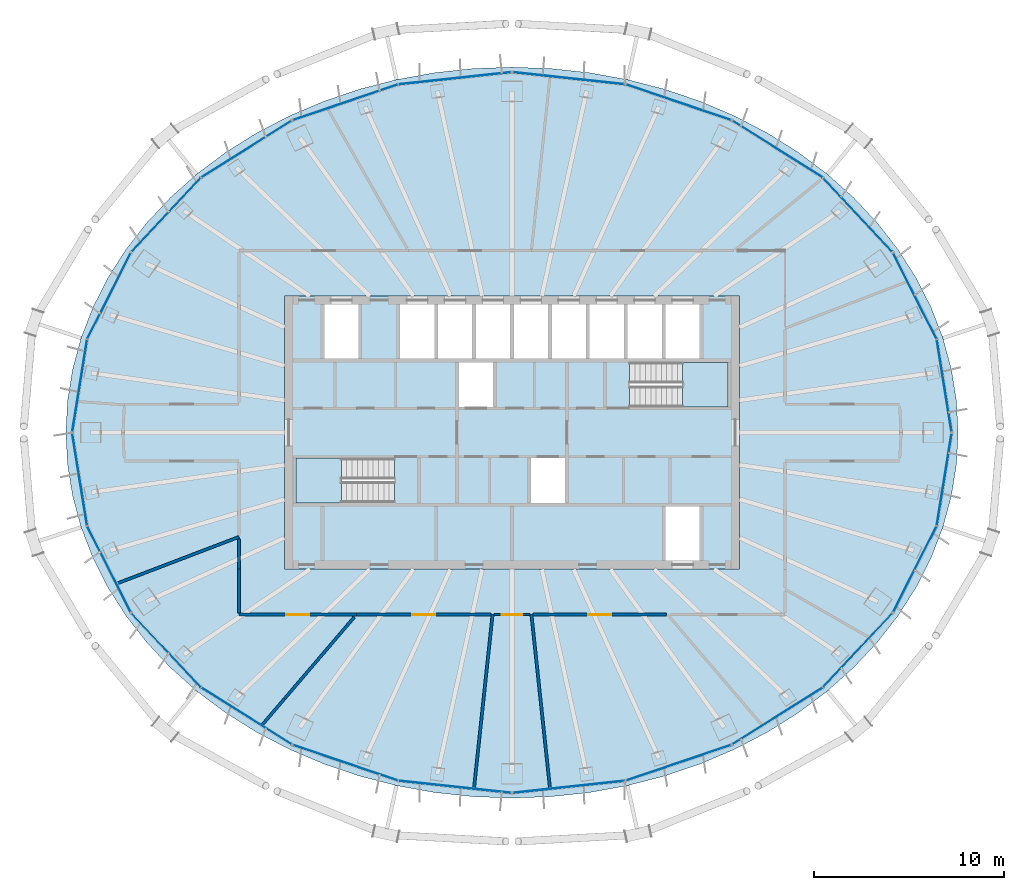
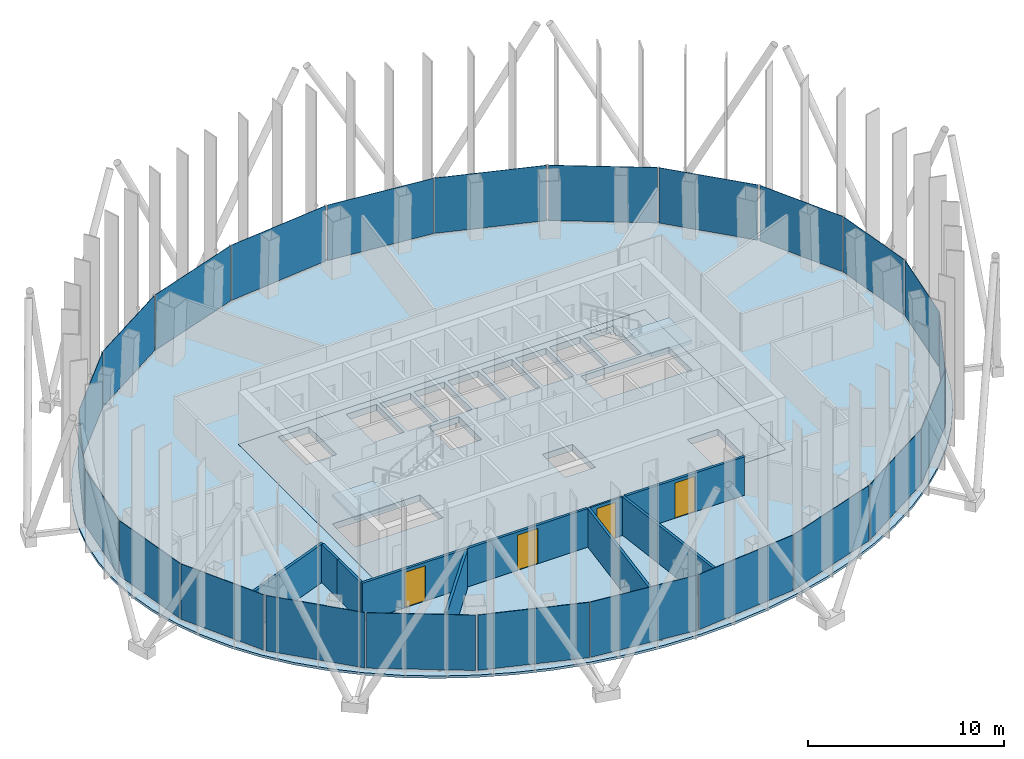
# One storey, part 9 of 19: 24 plates, 11 walls, 4 doors, 4 slabs, 4 openings, 14 elements without a shape of their own.
"""IFC4 building model written with IfcOpenShell, lengths in metres."""

from ifc_helpers import new_model, si_unit, direction, frame, frame_2d, origin, origin_2d, place, context, subcontext, project, spatial, polyline, rectangle, outline, extrude, material, layer, layer_set, type_object, element, fill, aggregate, save


model = new_model("IFC4")

# Units and contexts
model_context = context("Model", 3, precision=1e-05, world=origin(), true_north=direction((0.0, 1.0)))
body_context = subcontext(model_context, "Body", "Model", "MODEL_VIEW")
ifc_project = project(units=[si_unit("LENGTHUNIT", "METRE"), si_unit("AREAUNIT", "SQUARE_METRE"), si_unit("VOLUMEUNIT", "CUBIC_METRE"), si_unit("PLANEANGLEUNIT", "RADIAN"), si_unit("MASSUNIT", "GRAM", prefix="KILO")], contexts=[model_context])

# Site, building, storey
site_placement = place(None, origin())
site = spatial("IfcSite", under=ifc_project, at=site_placement, CompositionType="ELEMENT")
building_placement = place(site_placement, origin())
building = spatial("IfcBuilding", under=site, at=building_placement, Name="Siaravel Broadcast Tower", CompositionType="ELEMENT")
storey_placement = place(building_placement, frame((0.0, 0.0, 179.300048828125)))
storey = spatial("IfcBuildingStorey", under=building, at=storey_placement, Name="L43", CompositionType="ELEMENT", Elevation=179.300048828125)

# Curtain wall, plates
ifc_material_1 = material(Name="Aluminium 6063-T6", Category="aluminium")
ifc_layer_1 = layer(ifc_material_1, 0.179931640625)
ifc_layer_set_1 = layer_set([ifc_layer_1], Name="Aluminium 6063-T6")
curtain_wall_type = type_object("IfcCurtainWallType", Name="Unitised curtain wall, zone 3", PredefinedType="NOTDEFINED", material=ifc_layer_set_1)
curtain_wall_1_placement = place(storey_placement, origin())
curtain_wall_1 = element("IfcCurtainWall", 1, at=curtain_wall_1_placement, inside=storey, type_object=curtain_wall_type, Name="L43 Unitised curtain wall, zone 3 01", PredefinedType="NOTDEFINED")
ifc_material_2 = material(Name="Tinted insulated glass", Category="glass")
ifc_layer_2 = layer(ifc_material_2, 0.028076171875)
ifc_layer_set_2 = layer_set([ifc_layer_2], Name="Tinted insulated glass")
plate_type = type_object("IfcPlateType", Name="CW-Z3 glass panel", PredefinedType="CURTAIN_PANEL", material=ifc_layer_set_2)
plate_1_placement = place(storey_placement, frame((22.796630859375, 2.475830078125, 0.10009765625), z_axis=(0.0, 0.0, 1.0), x_axis=(-0.158685547, 0.987329174, 0.0)))
plate_1 = element("IfcPlate", 2, at=plate_1_placement, type_object=plate_type, Name="CW-Z3 glass panel", PredefinedType="CURTAIN_PANEL", context=body_context, shape_type="SweptSolid", body=[
    extrude(rectangle(XDim=4.8955078125, YDim=0.028076171875, at=origin_2d()), origin(), (0.0, 0.0, 1.0), 3.449951171875),
])
plate_2_placement = place(storey_placement, frame((21.250732421875, 7.20166015625, 0.10009765625), z_axis=(0.0, 0.0, 1.0), x_axis=(-0.451261028, 0.892392002, 0.0)))
plate_2 = element("IfcPlate", 3, at=plate_2_placement, type_object=plate_type, Name="CW-Z3 glass panel", PredefinedType="CURTAIN_PANEL", context=body_context, shape_type="SweptSolid", body=[
    extrude(rectangle(XDim=5.048583984375, YDim=0.028076171875, at=origin_2d()), origin(), (0.0, 0.0, 1.0), 3.449951171875),
])
aggregate(curtain_wall_1, [plate_1, plate_2])

curtain_wall_2_placement = place(storey_placement, origin())
curtain_wall_2 = element("IfcCurtainWall", 4, at=curtain_wall_2_placement, inside=storey, type_object=curtain_wall_type, Name="L43 Unitised curtain wall, zone 3 02", PredefinedType="NOTDEFINED")
plate_3_placement = place(storey_placement, frame((18.230712890625, 11.48681640625, 0.10009765625), z_axis=(0.0, 0.0, 1.0), x_axis=(-0.683655351, 0.729805016, 0.0)))
plate_3 = element("IfcPlate", 5, at=plate_3_placement, type_object=plate_type, Name="CW-Z3 glass panel", PredefinedType="CURTAIN_PANEL", context=body_context, shape_type="SweptSolid", body=[
    extrude(rectangle(XDim=5.303466796875, YDim=0.028076171875, at=origin_2d()), origin(), (0.0, 0.0, 1.0), 3.449951171875),
])
plate_4_placement = place(storey_placement, frame((14.00830078125, 14.945556640625, 0.10009765625), z_axis=(0.0, 0.0, 1.0), x_axis=(-0.846650771, 0.532148919, 0.0)))
plate_4 = element("IfcPlate", 6, at=plate_4_placement, type_object=plate_type, Name="CW-Z3 glass panel", PredefinedType="CURTAIN_PANEL", context=body_context, shape_type="SweptSolid", body=[
    extrude(rectangle(XDim=5.583740234375, YDim=0.028076171875, at=origin_2d()), origin(), (0.0, 0.0, 1.0), 3.449951171875),
])
aggregate(curtain_wall_2, [plate_3, plate_4])

curtain_wall_3_placement = place(storey_placement, origin())
curtain_wall_3 = element("IfcCurtainWall", 7, at=curtain_wall_3_placement, inside=storey, type_object=curtain_wall_type, Name="L43 Unitised curtain wall, zone 3 03", PredefinedType="NOTDEFINED")
plate_5_placement = place(storey_placement, frame((8.783203125, 17.416748046875, 0.10009765625), z_axis=(0.0, 0.0, 1.0), x_axis=(-0.946977335, 0.321300369, 0.0)))
plate_5 = element("IfcPlate", 8, at=plate_5_placement, type_object=plate_type, Name="CW-Z3 glass panel", PredefinedType="CURTAIN_PANEL", context=body_context, shape_type="SweptSolid", body=[
    extrude(rectangle(XDim=5.81591796875, YDim=0.028076171875, at=origin_2d()), origin(), (0.0, 0.0, 1.0), 3.449951171875),
])
plate_6_placement = place(storey_placement, frame((3.015380859375, 18.6826171875, 0.10009765625), z_axis=(0.0, 0.0, 1.0), x_axis=(-0.994235601, 0.107217391, 0.0)))
plate_6 = element("IfcPlate", 9, at=plate_6_placement, type_object=plate_type, Name="CW-Z3 glass panel", PredefinedType="CURTAIN_PANEL", context=body_context, shape_type="SweptSolid", body=[
    extrude(rectangle(XDim=5.94580078125, YDim=0.028076171875, at=origin_2d()), origin(), (0.0, 0.0, 1.0), 3.449951171875),
])
aggregate(curtain_wall_3, [plate_5, plate_6])

curtain_wall_4_placement = place(storey_placement, origin())
curtain_wall_4 = element("IfcCurtainWall", 10, at=curtain_wall_4_placement, inside=storey, type_object=curtain_wall_type, Name="L43 Unitised curtain wall, zone 3 04", PredefinedType="NOTDEFINED")
plate_7_placement = place(storey_placement, frame((-3.015380859375, 18.6826171875, 0.10009765625), z_axis=(0.0, 0.0, 1.0), x_axis=(-0.994235601, -0.107217391, 0.0)))
plate_7 = element("IfcPlate", 11, at=plate_7_placement, type_object=plate_type, Name="CW-Z3 glass panel", PredefinedType="CURTAIN_PANEL", context=body_context, shape_type="SweptSolid", body=[
    extrude(rectangle(XDim=5.94580078125, YDim=0.028076171875, at=origin_2d()), origin(), (0.0, 0.0, 1.0), 3.449951171875),
])
plate_8_placement = place(storey_placement, frame((-8.783203125, 17.416748046875, 0.10009765625), z_axis=(0.0, 0.0, 1.0), x_axis=(-0.946977335, -0.321300369, 0.0)))
plate_8 = element("IfcPlate", 12, at=plate_8_placement, type_object=plate_type, Name="CW-Z3 glass panel", PredefinedType="CURTAIN_PANEL", context=body_context, shape_type="SweptSolid", body=[
    extrude(rectangle(XDim=5.81591796875, YDim=0.028076171875, at=origin_2d()), origin(), (0.0, 0.0, 1.0), 3.449951171875),
])
aggregate(curtain_wall_4, [plate_7, plate_8])

curtain_wall_5_placement = place(storey_placement, origin())
curtain_wall_5 = element("IfcCurtainWall", 13, at=curtain_wall_5_placement, inside=storey, type_object=curtain_wall_type, Name="L43 Unitised curtain wall, zone 3 05", PredefinedType="NOTDEFINED")
plate_9_placement = place(storey_placement, frame((-14.00830078125, 14.945556640625, 0.10009765625), z_axis=(0.0, 0.0, 1.0), x_axis=(-0.846650771, -0.532148919, 0.0)))
plate_9 = element("IfcPlate", 14, at=plate_9_placement, type_object=plate_type, Name="CW-Z3 glass panel", PredefinedType="CURTAIN_PANEL", context=body_context, shape_type="SweptSolid", body=[
    extrude(rectangle(XDim=5.583740234375, YDim=0.028076171875, at=origin_2d()), origin(), (0.0, 0.0, 1.0), 3.449951171875),
])
plate_10_placement = place(storey_placement, frame((-18.230712890625, 11.48681640625, 0.10009765625), z_axis=(0.0, 0.0, 1.0), x_axis=(-0.683655351, -0.729805016, 0.0)))
plate_10 = element("IfcPlate", 15, at=plate_10_placement, type_object=plate_type, Name="CW-Z3 glass panel", PredefinedType="CURTAIN_PANEL", context=body_context, shape_type="SweptSolid", body=[
    extrude(rectangle(XDim=5.303466796875, YDim=0.028076171875, at=origin_2d()), origin(), (0.0, 0.0, 1.0), 3.449951171875),
])
aggregate(curtain_wall_5, [plate_9, plate_10])

curtain_wall_6_placement = place(storey_placement, origin())
curtain_wall_6 = element("IfcCurtainWall", 16, at=curtain_wall_6_placement, inside=storey, type_object=curtain_wall_type, Name="L43 Unitised curtain wall, zone 3 06", PredefinedType="NOTDEFINED")
plate_11_placement = place(storey_placement, frame((-21.250732421875, 7.20166015625, 0.10009765625), z_axis=(0.0, 0.0, 1.0), x_axis=(-0.451261028, -0.892392002, 0.0)))
plate_11 = element("IfcPlate", 17, at=plate_11_placement, type_object=plate_type, Name="CW-Z3 glass panel", PredefinedType="CURTAIN_PANEL", context=body_context, shape_type="SweptSolid", body=[
    extrude(rectangle(XDim=5.048583984375, YDim=0.028076171875, at=origin_2d()), origin(), (0.0, 0.0, 1.0), 3.449951171875),
])
plate_12_placement = place(storey_placement, frame((-22.796630859375, 2.475830078125, 0.10009765625), z_axis=(0.0, 0.0, 1.0), x_axis=(-0.158685547, -0.987329174, 0.0)))
plate_12 = element("IfcPlate", 18, at=plate_12_placement, type_object=plate_type, Name="CW-Z3 glass panel", PredefinedType="CURTAIN_PANEL", context=body_context, shape_type="SweptSolid", body=[
    extrude(rectangle(XDim=4.8955078125, YDim=0.028076171875, at=origin_2d()), origin(), (0.0, 0.0, 1.0), 3.449951171875),
])
aggregate(curtain_wall_6, [plate_11, plate_12])

curtain_wall_7_placement = place(storey_placement, origin())
curtain_wall_7 = element("IfcCurtainWall", 19, at=curtain_wall_7_placement, inside=storey, type_object=curtain_wall_type, Name="L43 Unitised curtain wall, zone 3 07", PredefinedType="NOTDEFINED")
plate_13_placement = place(storey_placement, frame((-22.796630859375, -2.475830078125, 0.10009765625), z_axis=(0.0, 0.0, 1.0), x_axis=(0.158685547, -0.987329174, 0.0)))
plate_13 = element("IfcPlate", 20, at=plate_13_placement, type_object=plate_type, Name="CW-Z3 glass panel", PredefinedType="CURTAIN_PANEL", context=body_context, shape_type="SweptSolid", body=[
    extrude(rectangle(XDim=4.8955078125, YDim=0.028076171875, at=origin_2d()), origin(), (0.0, 0.0, 1.0), 3.449951171875),
])
plate_14_placement = place(storey_placement, frame((-21.250732421875, -7.20166015625, 0.10009765625), z_axis=(0.0, 0.0, 1.0), x_axis=(0.451261028, -0.892392002, 0.0)))
plate_14 = element("IfcPlate", 21, at=plate_14_placement, type_object=plate_type, Name="CW-Z3 glass panel", PredefinedType="CURTAIN_PANEL", context=body_context, shape_type="SweptSolid", body=[
    extrude(rectangle(XDim=5.048583984375, YDim=0.028076171875, at=origin_2d()), origin(), (0.0, 0.0, 1.0), 3.449951171875),
])
aggregate(curtain_wall_7, [plate_13, plate_14])

curtain_wall_8_placement = place(storey_placement, origin())
curtain_wall_8 = element("IfcCurtainWall", 22, at=curtain_wall_8_placement, inside=storey, type_object=curtain_wall_type, Name="L43 Unitised curtain wall, zone 3 08", PredefinedType="NOTDEFINED")
plate_15_placement = place(storey_placement, frame((-18.230712890625, -11.48681640625, 0.10009765625), z_axis=(0.0, 0.0, 1.0), x_axis=(0.683655351, -0.729805016, 0.0)))
plate_15 = element("IfcPlate", 23, at=plate_15_placement, type_object=plate_type, Name="CW-Z3 glass panel", PredefinedType="CURTAIN_PANEL", context=body_context, shape_type="SweptSolid", body=[
    extrude(rectangle(XDim=5.303466796875, YDim=0.028076171875, at=origin_2d()), origin(), (0.0, 0.0, 1.0), 3.449951171875),
])
plate_16_placement = place(storey_placement, frame((-14.00830078125, -14.945556640625, 0.10009765625), z_axis=(0.0, 0.0, 1.0), x_axis=(0.846650771, -0.532148919, 0.0)))
plate_16 = element("IfcPlate", 24, at=plate_16_placement, type_object=plate_type, Name="CW-Z3 glass panel", PredefinedType="CURTAIN_PANEL", context=body_context, shape_type="SweptSolid", body=[
    extrude(rectangle(XDim=5.583740234375, YDim=0.028076171875, at=origin_2d()), origin(), (0.0, 0.0, 1.0), 3.449951171875),
])
aggregate(curtain_wall_8, [plate_15, plate_16])

curtain_wall_9_placement = place(storey_placement, origin())
curtain_wall_9 = element("IfcCurtainWall", 25, at=curtain_wall_9_placement, inside=storey, type_object=curtain_wall_type, Name="L43 Unitised curtain wall, zone 3 09", PredefinedType="NOTDEFINED")
plate_17_placement = place(storey_placement, frame((-8.783203125, -17.416748046875, 0.10009765625), z_axis=(0.0, 0.0, 1.0), x_axis=(0.946977335, -0.321300369, 0.0)))
plate_17 = element("IfcPlate", 26, at=plate_17_placement, type_object=plate_type, Name="CW-Z3 glass panel", PredefinedType="CURTAIN_PANEL", context=body_context, shape_type="SweptSolid", body=[
    extrude(rectangle(XDim=5.81591796875, YDim=0.028076171875, at=origin_2d()), origin(), (0.0, 0.0, 1.0), 3.449951171875),
])
plate_18_placement = place(storey_placement, frame((-3.015380859375, -18.6826171875, 0.10009765625), z_axis=(0.0, 0.0, 1.0), x_axis=(0.994235601, -0.107217391, 0.0)))
plate_18 = element("IfcPlate", 27, at=plate_18_placement, type_object=plate_type, Name="CW-Z3 glass panel", PredefinedType="CURTAIN_PANEL", context=body_context, shape_type="SweptSolid", body=[
    extrude(rectangle(XDim=5.94580078125, YDim=0.028076171875, at=origin_2d()), origin(), (0.0, 0.0, 1.0), 3.449951171875),
])
aggregate(curtain_wall_9, [plate_17, plate_18])

curtain_wall_10_placement = place(storey_placement, origin())
curtain_wall_10 = element("IfcCurtainWall", 28, at=curtain_wall_10_placement, inside=storey, type_object=curtain_wall_type, Name="L43 Unitised curtain wall, zone 3 10", PredefinedType="NOTDEFINED")
plate_19_placement = place(storey_placement, frame((3.015380859375, -18.6826171875, 0.10009765625), z_axis=(0.0, 0.0, 1.0), x_axis=(0.994235601, 0.107217391, 0.0)))
plate_19 = element("IfcPlate", 29, at=plate_19_placement, type_object=plate_type, Name="CW-Z3 glass panel", PredefinedType="CURTAIN_PANEL", context=body_context, shape_type="SweptSolid", body=[
    extrude(rectangle(XDim=5.94580078125, YDim=0.028076171875, at=origin_2d()), origin(), (0.0, 0.0, 1.0), 3.449951171875),
])
plate_20_placement = place(storey_placement, frame((8.783203125, -17.416748046875, 0.10009765625), z_axis=(0.0, 0.0, 1.0), x_axis=(0.946977335, 0.321300369, 0.0)))
plate_20 = element("IfcPlate", 30, at=plate_20_placement, type_object=plate_type, Name="CW-Z3 glass panel", PredefinedType="CURTAIN_PANEL", context=body_context, shape_type="SweptSolid", body=[
    extrude(rectangle(XDim=5.81591796875, YDim=0.028076171875, at=origin_2d()), origin(), (0.0, 0.0, 1.0), 3.449951171875),
])
aggregate(curtain_wall_10, [plate_19, plate_20])

curtain_wall_11_placement = place(storey_placement, origin())
curtain_wall_11 = element("IfcCurtainWall", 31, at=curtain_wall_11_placement, inside=storey, type_object=curtain_wall_type, Name="L43 Unitised curtain wall, zone 3 11", PredefinedType="NOTDEFINED")
plate_21_placement = place(storey_placement, frame((14.00830078125, -14.945556640625, 0.10009765625), z_axis=(0.0, 0.0, 1.0), x_axis=(0.846650771, 0.532148919, 0.0)))
plate_21 = element("IfcPlate", 32, at=plate_21_placement, type_object=plate_type, Name="CW-Z3 glass panel", PredefinedType="CURTAIN_PANEL", context=body_context, shape_type="SweptSolid", body=[
    extrude(rectangle(XDim=5.583740234375, YDim=0.028076171875, at=origin_2d()), origin(), (0.0, 0.0, 1.0), 3.449951171875),
])
plate_22_placement = place(storey_placement, frame((18.230712890625, -11.48681640625, 0.10009765625), z_axis=(0.0, 0.0, 1.0), x_axis=(0.683655351, 0.729805016, 0.0)))
plate_22 = element("IfcPlate", 33, at=plate_22_placement, type_object=plate_type, Name="CW-Z3 glass panel", PredefinedType="CURTAIN_PANEL", context=body_context, shape_type="SweptSolid", body=[
    extrude(rectangle(XDim=5.303466796875, YDim=0.028076171875, at=origin_2d()), origin(), (0.0, 0.0, 1.0), 3.449951171875),
])
aggregate(curtain_wall_11, [plate_21, plate_22])

curtain_wall_12_placement = place(storey_placement, origin())
curtain_wall_12 = element("IfcCurtainWall", 34, at=curtain_wall_12_placement, inside=storey, type_object=curtain_wall_type, Name="L43 Unitised curtain wall, zone 3 12", PredefinedType="NOTDEFINED")
plate_23_placement = place(storey_placement, frame((21.250732421875, -7.20166015625, 0.10009765625), z_axis=(0.0, 0.0, 1.0), x_axis=(0.451261028, 0.892392002, 0.0)))
plate_23 = element("IfcPlate", 35, at=plate_23_placement, type_object=plate_type, Name="CW-Z3 glass panel", PredefinedType="CURTAIN_PANEL", context=body_context, shape_type="SweptSolid", body=[
    extrude(rectangle(XDim=5.048583984375, YDim=0.028076171875, at=origin_2d()), origin(), (0.0, 0.0, 1.0), 3.449951171875),
])
plate_24_placement = place(storey_placement, frame((22.796630859375, -2.475830078125, 0.10009765625), z_axis=(0.0, 0.0, 1.0), x_axis=(0.158685547, 0.987329174, 0.0)))
plate_24 = element("IfcPlate", 36, at=plate_24_placement, type_object=plate_type, Name="CW-Z3 glass panel", PredefinedType="CURTAIN_PANEL", context=body_context, shape_type="SweptSolid", body=[
    extrude(rectangle(XDim=4.8955078125, YDim=0.028076171875, at=origin_2d()), origin(), (0.0, 0.0, 1.0), 3.449951171875),
])
aggregate(curtain_wall_12, [plate_23, plate_24])

# Slabs
ifc_material_3 = material(Name="Concrete C40/50", Category="concrete")
ifc_layer_3 = layer(ifc_material_3, 0.39990234375)
ifc_layer_set_3 = layer_set([ifc_layer_3], Name="Concrete C40/50")
slab_type_1 = type_object("IfcSlabType", Name="Core floor slab 400", PredefinedType="FLOOR", material=ifc_layer_set_3)
slab_1_placement = place(storey_placement, frame((0.0, 0.0, -0.400146484375)))
element("IfcSlab", 37, at=slab_1_placement, inside=storey, type_object=slab_type_1, Name="L43 core floor", PredefinedType="FLOOR", context=body_context, shape_type="SweptSolid", body=[
    extrude(outline(polyline([(-12.0, -7.199951171875), (-12.0, 7.199951171875), (12.0, 7.199951171875), (12.0, -7.199951171875), (-12.0, -7.199951171875)]), holes=[polyline([(11.3994140625, 1.3505859375), (11.3994140625, 3.699462890625), (6.200439453125, 3.699462890625), (6.200439453125, 1.3505859375), (11.3994140625, 1.3505859375)]), polyline([(8.10009765625, -3.89990234375), (8.10009765625, -6.75), (9.89990234375, -6.75), (9.89990234375, -3.89990234375), (8.10009765625, -3.89990234375)]), polyline([(9.89990234375, 6.75), (8.10009765625, 6.75), (8.10009765625, 3.89990234375), (9.89990234375, 3.89990234375), (9.89990234375, 6.75)]), polyline([(7.89990234375, 6.75), (6.10009765625, 6.75), (6.10009765625, 3.89990234375), (7.89990234375, 3.89990234375), (7.89990234375, 6.75)]), polyline([(5.89990234375, 6.75), (4.10009765625, 6.75), (4.10009765625, 3.89990234375), (5.89990234375, 3.89990234375), (5.89990234375, 6.75)]), polyline([(3.89990234375, 6.75), (2.10009765625, 6.75), (2.10009765625, 3.89990234375), (3.89990234375, 3.89990234375), (3.89990234375, 6.75)]), polyline([(2.800048828125, -1.35009765625), (1.0, -1.35009765625), (1.0, -3.699951171875), (2.800048828125, -3.699951171875), (2.800048828125, -1.35009765625)]), polyline([(1.89990234375, 6.75), (0.10009765625, 6.75), (0.10009765625, 3.89990234375), (1.89990234375, 3.89990234375), (1.89990234375, 6.75)]), polyline([(-0.10009765625, 6.75), (-1.89990234375, 6.75), (-1.89990234375, 3.89990234375), (-0.10009765625, 3.89990234375), (-0.10009765625, 6.75)]), polyline([(-1.0, 3.699951171875), (-2.800048828125, 3.699951171875), (-2.800048828125, 1.35009765625), (-1.0, 1.35009765625), (-1.0, 3.699951171875)]), polyline([(-2.10009765625, 6.75), (-3.89990234375, 6.75), (-3.89990234375, 3.89990234375), (-2.10009765625, 3.89990234375), (-2.10009765625, 6.75)]), polyline([(-4.10009765625, 6.75), (-5.89990234375, 6.75), (-5.89990234375, 3.89990234375), (-4.10009765625, 3.89990234375), (-4.10009765625, 6.75)]), polyline([(-11.3994140625, -3.699462890625), (-6.200439453125, -3.699462890625), (-6.200439453125, -1.3505859375), (-11.3994140625, -1.3505859375), (-11.3994140625, -3.699462890625)]), polyline([(-8.10009765625, 6.75), (-9.89990234375, 6.75), (-9.89990234375, 3.89990234375), (-8.10009765625, 3.89990234375), (-8.10009765625, 6.75)])]), origin(), (0.0, 0.0, 1.0), 0.400146484375),
])
ifc_layer_4 = layer(ifc_material_3, 0.14990234375)
ifc_layer_set_4 = layer_set([ifc_layer_4], Name="Concrete C40/50")
slab_type_2 = type_object("IfcSlabType", Name="SLB-FLOOR-150", PredefinedType="FLOOR", material=ifc_layer_set_4)
slab_2_placement = place(storey_placement, frame((0.0, 0.0, -0.150146484375)))
element("IfcSlab", 38, at=slab_2_placement, inside=storey, type_object=slab_type_2, Name="Floor slab", PredefinedType="FLOOR", context=body_context, shape_type="SweptSolid", body=[
    extrude(outline(polyline([(23.52880859375, 0.0), (23.439208984375, 1.6796875), (23.171142578125, 3.3466796875), (22.72705078125, 4.988037109375), (22.109619140625, 6.591552734375), (21.32421875, 8.14501953125), (20.37646484375, 9.63623046875), (19.273681640625, 11.05419921875), (18.02392578125, 12.38818359375), (16.63720703125, 13.627685546875), (15.1240234375, 14.763671875), (13.49560546875, 15.787109375), (11.764404296875, 16.690673828125), (9.943603515625, 17.466796875), (8.04736328125, 18.1103515625), (6.089599609375, 18.615966796875), (4.085693359375, 18.979736328125), (2.05078125, 19.19921875), (0.0, 19.272705078125), (-2.05078125, 19.19921875), (-4.085693359375, 18.979736328125), (-6.089599609375, 18.615966796875), (-8.04736328125, 18.1103515625), (-9.943603515625, 17.466796875), (-11.764404296875, 16.690673828125), (-13.49560546875, 15.787109375), (-15.1240234375, 14.763671875), (-16.63720703125, 13.627685546875), (-18.02392578125, 12.38818359375), (-19.273681640625, 11.05419921875), (-20.37646484375, 9.63623046875), (-21.32421875, 8.14501953125), (-22.109619140625, 6.591552734375), (-22.72705078125, 4.988037109375), (-23.171142578125, 3.3466796875), (-23.439208984375, 1.6796875), (-23.52880859375, 0.0), (-23.439208984375, -1.6796875), (-23.171142578125, -3.3466796875), (-22.72705078125, -4.988037109375), (-22.109619140625, -6.591552734375), (-21.32421875, -8.14501953125), (-20.37646484375, -9.63623046875), (-19.273681640625, -11.05419921875), (-18.02392578125, -12.38818359375), (-16.63720703125, -13.627685546875), (-15.1240234375, -14.763671875), (-13.49560546875, -15.787109375), (-11.764404296875, -16.690673828125), (-9.943603515625, -17.466796875), (-8.04736328125, -18.1103515625), (-6.089599609375, -18.615966796875), (-4.085693359375, -18.979736328125), (-2.05078125, -19.19921875), (0.0, -19.272705078125), (2.05078125, -19.19921875), (4.085693359375, -18.979736328125), (6.089599609375, -18.615966796875), (8.04736328125, -18.1103515625), (9.943603515625, -17.466796875), (11.764404296875, -16.690673828125), (13.49560546875, -15.787109375), (15.1240234375, -14.763671875), (16.63720703125, -13.627685546875), (18.02392578125, -12.38818359375), (19.273681640625, -11.05419921875), (20.37646484375, -9.63623046875), (21.32421875, -8.14501953125), (22.109619140625, -6.591552734375), (22.72705078125, -4.988037109375), (23.171142578125, -3.3466796875), (23.439208984375, -1.6796875), (23.52880859375, 0.0)]), holes=[polyline([(-12.0, 7.199951171875), (12.0, 7.199951171875), (12.0, -7.199951171875), (-12.0, -7.199951171875), (-12.0, 7.199951171875)])]), origin(), (0.0, 0.0, 1.0), 0.150146484375),
])

# Stair, slab
stair_type = type_object("IfcStairType", Name="Core exit stair", PredefinedType="HALF_TURN_STAIR", material=ifc_material_3)
stair_1_placement = place(storey_placement, origin())
stair_1 = element("IfcStair", 39, at=stair_1_placement, inside=storey, type_object=stair_type, Name="L43 Exit stair ST-1", PredefinedType="HALF_TURN_STAIR")
ifc_layer_5 = layer(ifc_material_3, 0.199951171875)
ifc_layer_set_5 = layer_set([ifc_layer_5], Name="Concrete C40/50")
slab_type_3 = type_object("IfcSlabType", Name="Stair landing", PredefinedType="LANDING", material=ifc_layer_set_5)
slab_3_placement = place(storey_placement, frame((0.0, 0.0, 1.64990234375)))
slab_3 = element("IfcSlab", 40, at=slab_3_placement, type_object=slab_type_3, Name="ST-1 landing 1", PredefinedType="LANDING", context=body_context, shape_type="SweptSolid", body=[
    extrude(outline(polyline([(-9.0, -1.35009765625), (-11.39990234375, -1.35009765625), (-11.39990234375, -3.699951171875), (-9.0, -3.699951171875), (-9.0, -1.35009765625)])), origin(), (0.0, 0.0, 1.0), 0.199951171875),
])
aggregate(stair_1, [slab_3])

stair_2_placement = place(storey_placement, origin())
stair_2 = element("IfcStair", 41, at=stair_2_placement, inside=storey, type_object=stair_type, Name="L43 Exit stair ST-2", PredefinedType="HALF_TURN_STAIR")
slab_4_placement = place(storey_placement, frame((0.0, 0.0, 1.64990234375)))
slab_4 = element("IfcSlab", 42, at=slab_4_placement, type_object=slab_type_3, Name="ST-2 landing 1", PredefinedType="LANDING", context=body_context, shape_type="SweptSolid", body=[
    extrude(outline(polyline([(9.0, 1.35009765625), (11.39990234375, 1.35009765625), (11.39990234375, 3.699951171875), (9.0, 3.699951171875), (9.0, 1.35009765625)])), origin(), (0.0, 0.0, 1.0), 0.199951171875),
])
aggregate(stair_2, [slab_4])

# Wall, opening, door
ifc_material_4 = material(Name="Gypsum board partition", Category="gypsum")
ifc_layer_6 = layer(ifc_material_4, 0.14990234375)
ifc_layer_set_6 = layer_set([ifc_layer_6], Name="Gypsum board partition")
wall_type_1 = type_object("IfcWallType", Name="Corridor wall 150", PredefinedType="PARTITIONING", material=ifc_layer_set_6)
wall_1_placement = place(storey_placement, frame((-8.206298828125, -9.60009765625, 0.0), z_axis=(0.0, 0.0, 1.0), x_axis=(1.0, 0.0, 0.0)))
wall_1 = element("IfcWall", 43, at=wall_1_placement, inside=storey, type_object=wall_type_1, Name="L43 partition 8", PredefinedType="PARTITIONING", context=body_context, shape_type="SweptSolid", body=[
    extrude(rectangle(XDim=7.095458984375, YDim=0.14990234375, at=frame_2d((3.5478515625, 0.0))), origin(), (0.0, 0.0, 1.0), 2.39990234375),
])
opening_1_placement = place(wall_1_placement, frame((2.94775390625, 0.0, 0.0)))
opening_1 = element("IfcOpeningElement", 44, at=opening_1_placement, cuts=wall_1, Name="Opening L43-012", PredefinedType="OPENING", context=body_context, shape_type="SweptSolid", body=[
    extrude(rectangle(XDim=1.199951171875, YDim=2.199951171875, at=frame_2d((0.60009765625, 1.10009765625))), frame((0.0, 0.0849609375, 0.0), z_axis=(0.0, -1.0, 0.0), x_axis=(1.0, 0.0, 0.0)), (0.0, 0.0, 1.0), 0.169921875),
])
ifc_material_5 = material(Name="Timber veneer", Category="wood")
door_type_1 = type_object("IfcDoorType", Name="Office double door 1200", OperationType="DOUBLE_DOOR_SINGLE_SWING", PredefinedType="DOOR", material=ifc_material_5)
door_1_placement = place(opening_1_placement, origin())
door_1 = element("IfcDoor", 45, at=door_1_placement, inside=storey, type_object=door_type_1, Name="L43 door to Open plan office", OperationType="DOUBLE_DOOR_SINGLE_SWING", OverallHeight=2.199951171875, OverallWidth=1.199951171875, PredefinedType="DOOR", context=body_context, shape_type="SweptSolid", body=[
    extrude(rectangle(XDim=1.199951171875, YDim=2.199951171875, at=frame_2d((0.60009765625, 1.10009765625))), frame((0.0, 0.02490234375, 0.0), z_axis=(0.0, -1.0, 0.0), x_axis=(1.0, 0.0, 0.0)), (0.0, 0.0, 1.0), 0.050048828125),
])
fill(opening_1, door_1)

wall_2_placement = place(storey_placement, frame((1.11083984375, -9.60009765625, 0.0), z_axis=(0.0, 0.0, 1.0), x_axis=(1.0, 0.0, 0.0)))
wall_2 = element("IfcWall", 46, at=wall_2_placement, inside=storey, type_object=wall_type_1, Name="L43 partition 9", PredefinedType="PARTITIONING", context=body_context, shape_type="SweptSolid", body=[
    extrude(rectangle(XDim=7.03662109375, YDim=0.14990234375, at=frame_2d((3.518310546875, 0.0))), origin(), (0.0, 0.0, 1.0), 2.39990234375),
])
opening_2_placement = place(wall_2_placement, frame((2.918212890625, 0.0, 0.0)))
opening_2 = element("IfcOpeningElement", 47, at=opening_2_placement, cuts=wall_2, Name="Opening L43-001", PredefinedType="OPENING", context=body_context, shape_type="SweptSolid", body=[
    extrude(rectangle(XDim=1.199951171875, YDim=2.199951171875, at=frame_2d((0.60009765625, 1.10009765625))), frame((0.0, 0.0849609375, 0.0), z_axis=(0.0, -1.0, 0.0), x_axis=(1.0, 0.0, 0.0)), (0.0, 0.0, 1.0), 0.169921875),
])
door_2_placement = place(opening_2_placement, origin())
door_2 = element("IfcDoor", 48, at=door_2_placement, inside=storey, type_object=door_type_1, Name="L43 door to Open plan office", OperationType="DOUBLE_DOOR_SINGLE_SWING", OverallHeight=2.199951171875, OverallWidth=1.199951171875, PredefinedType="DOOR", context=body_context, shape_type="SweptSolid", body=[
    extrude(rectangle(XDim=1.199951171875, YDim=2.199951171875, at=frame_2d((0.60009765625, 1.10009765625))), frame((0.0, 0.02490234375, 0.0), z_axis=(0.0, -1.0, 0.0), x_axis=(1.0, 0.0, 0.0)), (0.0, 0.0, 1.0), 0.050048828125),
])
fill(opening_2, door_2)

wall_3_placement = place(storey_placement, frame((-14.39990234375, -9.60009765625, 0.0), z_axis=(0.0, 0.0, 1.0), x_axis=(1.0, 0.0, 0.0)))
wall_3 = element("IfcWall", 49, at=wall_3_placement, inside=storey, type_object=wall_type_1, Name="L43 partition 13", PredefinedType="PARTITIONING", context=body_context, shape_type="SweptSolid", body=[
    extrude(rectangle(XDim=6.1923828125, YDim=0.14990234375, at=frame_2d((3.09619140625, 0.0))), origin(), (0.0, 0.0, 1.0), 2.39990234375),
])
opening_3_placement = place(wall_3_placement, frame((2.496337890625, 0.0, 0.0)))
opening_3 = element("IfcOpeningElement", 50, at=opening_3_placement, cuts=wall_3, Name="Opening L43-011", PredefinedType="OPENING", context=body_context, shape_type="SweptSolid", body=[
    extrude(rectangle(XDim=1.199951171875, YDim=2.199951171875, at=frame_2d((0.60009765625, 1.10009765625))), frame((0.0, 0.0849609375, 0.0), z_axis=(0.0, -1.0, 0.0), x_axis=(1.0, 0.0, 0.0)), (0.0, 0.0, 1.0), 0.169921875),
])
door_3_placement = place(opening_3_placement, origin())
door_3 = element("IfcDoor", 51, at=door_3_placement, inside=storey, type_object=door_type_1, Name="L43 door to Open plan office", OperationType="DOUBLE_DOOR_SINGLE_SWING", OverallHeight=2.199951171875, OverallWidth=1.199951171875, PredefinedType="DOOR", context=body_context, shape_type="SweptSolid", body=[
    extrude(rectangle(XDim=1.199951171875, YDim=2.199951171875, at=frame_2d((0.60009765625, 1.10009765625))), frame((0.0, 0.02490234375, 0.0), z_axis=(0.0, -1.0, 0.0), x_axis=(1.0, 0.0, 0.0)), (0.0, 0.0, 1.0), 0.050048828125),
])
fill(opening_3, door_3)

# Walls
wall_4_placement = place(storey_placement, frame((-14.39990234375, -7.18798828125, 0.0), z_axis=(0.0, 0.0, 1.0), x_axis=(0.0, -1.0, 0.0)))
element("IfcWall", 52, at=wall_4_placement, inside=storey, type_object=wall_type_1, Name="L43 partition 28", PredefinedType="PARTITIONING", context=body_context, shape_type="SweptSolid", body=[
    extrude(rectangle(XDim=2.3349609375, YDim=0.14990234375, at=frame_2d((1.16748046875, 0.0))), origin(), (0.0, 0.0, 1.0), 2.39990234375),
])
wall_5_placement = place(storey_placement, frame((-14.39990234375, -5.611083984375, 0.0), z_axis=(0.0, 0.0, 1.0), x_axis=(0.0, -1.0, 0.0)))
element("IfcWall", 53, at=wall_5_placement, inside=storey, type_object=wall_type_1, Name="L43 partition 33", PredefinedType="PARTITIONING", context=body_context, shape_type="SweptSolid", body=[
    extrude(rectangle(XDim=1.575927734375, YDim=0.14990234375, at=frame_2d((0.7880859375, 0.0))), origin(), (0.0, 0.0, 1.0), 2.39990234375),
])

# Wall, opening, door
ifc_material_6 = material(Name="Glazed aluminium partition", Category="aluminium")
ifc_layer_7 = layer(ifc_material_6, 0.10009765625)
ifc_layer_set_7 = layer_set([ifc_layer_7], Name="Glazed aluminium partition")
wall_type_2 = type_object("IfcWallType", Name="Glazed meeting room partition 100", PredefinedType="PARTITIONING", material=ifc_layer_set_7)
wall_6_placement = place(storey_placement, frame((-0.94873046875, -9.60009765625, 0.0), z_axis=(0.0, 0.0, 1.0), x_axis=(1.0, 0.0, 0.0)))
wall_6 = element("IfcWall", 54, at=wall_6_placement, inside=storey, type_object=wall_type_2, Name="L43 partition 31", PredefinedType="PARTITIONING", context=body_context, shape_type="SweptSolid", body=[
    extrude(rectangle(XDim=1.8974609375, YDim=0.10009765625, at=frame_2d((0.94873046875, 0.0))), origin(), (0.0, 0.0, 1.0), 2.39990234375),
])
opening_4_placement = place(wall_6_placement, frame((0.398681640625, 0.0, 0.0)))
opening_4 = element("IfcOpeningElement", 55, at=opening_4_placement, cuts=wall_6, Name="Opening L43-013", PredefinedType="OPENING", context=body_context, shape_type="SweptSolid", body=[
    extrude(rectangle(XDim=1.10009765625, YDim=2.199951171875, at=frame_2d((0.550048828125, 1.10009765625))), frame((0.0, 0.06005859375, 0.0), z_axis=(0.0, -1.0, 0.0), x_axis=(1.0, 0.0, 0.0)), (0.0, 0.0, 1.0), 0.1201171875),
])
door_type_2 = type_object("IfcDoorType", Name="Meeting room door 1100", OperationType="SINGLE_SWING_LEFT", PredefinedType="DOOR", material=ifc_material_5)
door_4_placement = place(opening_4_placement, origin())
door_4 = element("IfcDoor", 56, at=door_4_placement, inside=storey, type_object=door_type_2, Name="L43 door to Meeting room", OperationType="SINGLE_SWING_LEFT", OverallHeight=2.199951171875, OverallWidth=1.10009765625, PredefinedType="DOOR", context=body_context, shape_type="SweptSolid", body=[
    extrude(rectangle(XDim=1.10009765625, YDim=2.199951171875, at=frame_2d((0.550048828125, 1.10009765625))), frame((0.0, 0.02490234375, 0.0), z_axis=(0.0, -1.0, 0.0), x_axis=(1.0, 0.0, 0.0)), (0.0, 0.0, 1.0), 0.050048828125),
])
fill(opening_4, door_4)

# Walls
ifc_layer_8 = layer(ifc_material_4, 0.14990234375)
ifc_layer_set_8 = layer_set([ifc_layer_8], Name="Gypsum board partition")
wall_type_3 = type_object("IfcWallType", Name="Room partition 150", PredefinedType="PARTITIONING", material=ifc_layer_set_8)
for number, where, z_axis, x_axis, name in (
    (57, (-2.00439453125, -18.76611328125, 0.0), (0.0, 0.0, 1.0), (0.106203945, 0.994344368, 0.0), "L43 partition 2"),
    (58, (1.025390625, -9.60009765625, 0.0), (0.0, 0.0, 1.0), (0.106203945, -0.994344368, 0.0), "L43 partition 3"),
):
    element("IfcWall", number, at=place(storey_placement, frame(where, z_axis=z_axis, x_axis=x_axis)), inside=storey, type_object=wall_type_3, Name=name, PredefinedType="PARTITIONING", context=body_context, shape_type="SweptSolid", body=[
        extrude(rectangle(XDim=9.21826171875, YDim=0.14990234375, at=frame_2d((4.609130859375, 0.0))), origin(), (0.0, 0.0, 1.0), 2.39990234375),
    ])
wall_7_placement = place(storey_placement, frame((-20.86181640625, -7.968505859375, 0.0), z_axis=(0.0, 0.0, 1.0), x_axis=(0.934170905, 0.356825897, 0.0)))
element("IfcWall", 59, at=wall_7_placement, inside=storey, type_object=wall_type_3, Name="L43 partition 10", PredefinedType="PARTITIONING", context=body_context, shape_type="SweptSolid", body=[
    extrude(rectangle(XDim=6.917236328125, YDim=0.14990234375, at=frame_2d((3.45849609375, 0.0))), origin(), (0.0, 0.0, 1.0), 2.39990234375),
])
wall_8_placement = place(storey_placement, frame((-11.99755859375, -14.034912109375, 0.0), z_axis=(0.0, 0.0, 1.0), x_axis=(0.64979078, 0.760113111, 0.0)))
element("IfcWall", 60, at=wall_8_placement, inside=storey, type_object=wall_type_3, Name="L43 partition 20", PredefinedType="PARTITIONING", context=body_context, shape_type="SweptSolid", body=[
    extrude(rectangle(XDim=5.669677734375, YDim=0.14990234375, at=frame_2d((2.8349609375, 0.0))), origin(), (0.0, 0.0, 1.0), 2.39990234375),
])
wall_9_placement = place(storey_placement, frame((-13.195068359375, -15.435791015625, 0.0), z_axis=(0.0, 0.0, 1.0), x_axis=(0.649742857, 0.760154077, 0.0)))
element("IfcWall", 61, at=wall_9_placement, inside=storey, type_object=wall_type_3, Name="L43 partition 32", PredefinedType="PARTITIONING", context=body_context, shape_type="SweptSolid", body=[
    extrude(rectangle(XDim=1.842041015625, YDim=0.14990234375, at=frame_2d((0.9208984375, 0.0))), origin(), (0.0, 0.0, 1.0), 2.39990234375),
])

save(model, "model.ifc")
